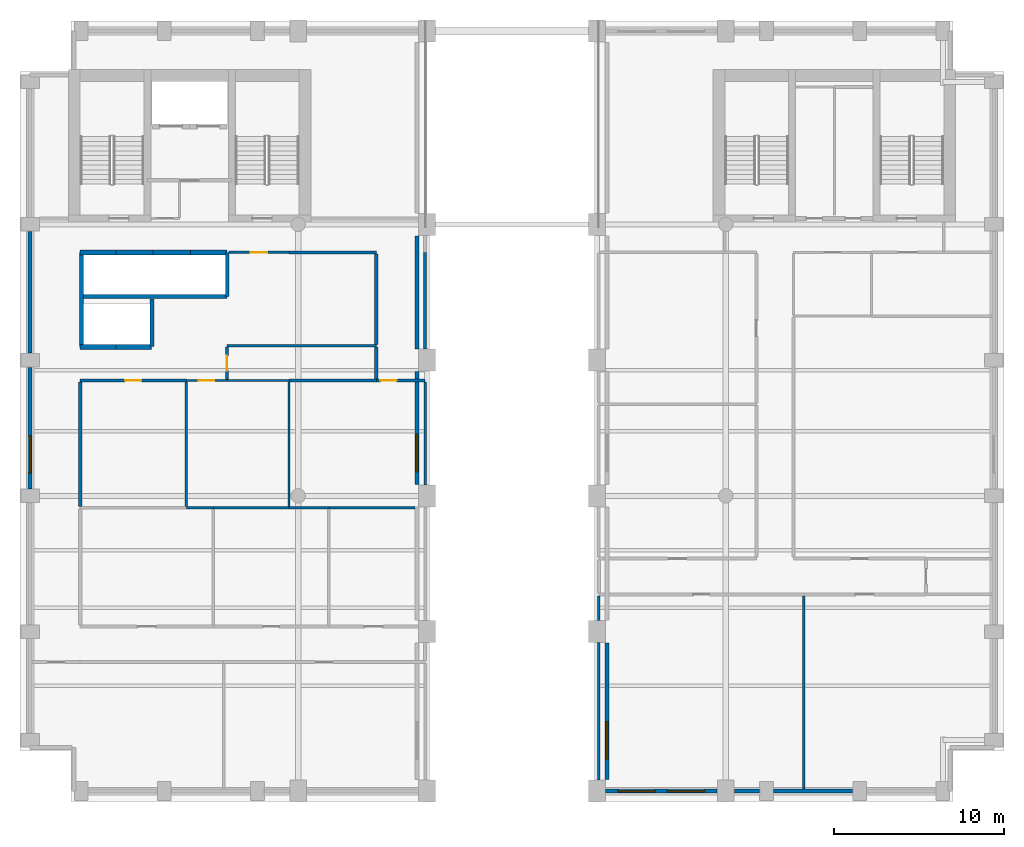
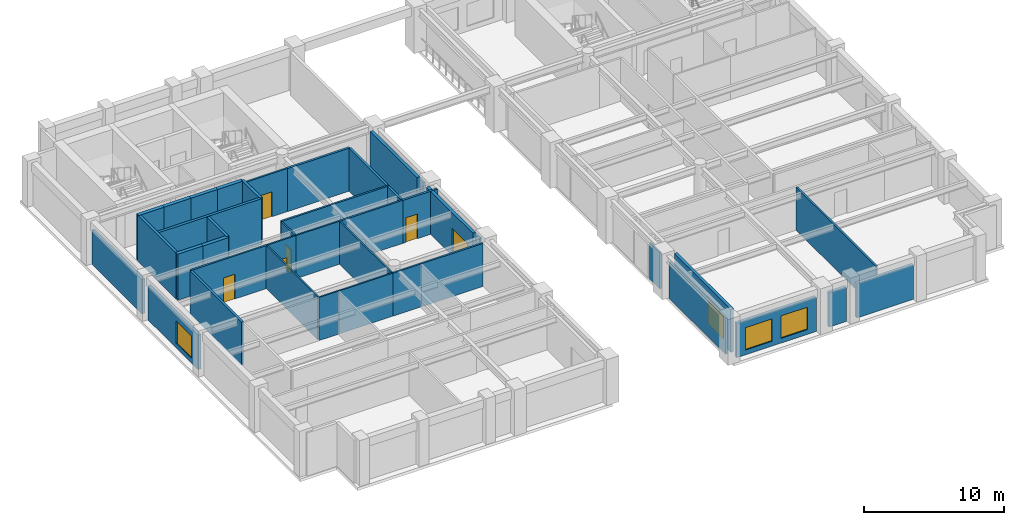
# One storey, part 3 of 8: 41 walls, 5 doors, 5 windows, 10 openings.
"""IFC4 building model written with IfcOpenShell, lengths in metres."""

from ifc_helpers import new_model, si_unit, direction, frame, frame_2d, origin, place, context, subcontext, project, spatial, rectangle, extrude, material, layer, layer_set, type_object, element, fill, save


model = new_model("IFC4")

# Units and contexts
model_context = context("Model", 3, precision=1e-05, world=origin(), true_north=direction((0.0, 1.0)))
body_context = subcontext(model_context, "Body", "Model", "MODEL_VIEW")
ifc_project = project(units=[si_unit("LENGTHUNIT", "METRE"), si_unit("AREAUNIT", "SQUARE_METRE"), si_unit("VOLUMEUNIT", "CUBIC_METRE"), si_unit("PLANEANGLEUNIT", "RADIAN"), si_unit("MASSUNIT", "GRAM", prefix="KILO")], contexts=[model_context])

# Site, building, storey
site_placement = place(None, origin())
site = spatial("IfcSite", under=ifc_project, at=site_placement, CompositionType="ELEMENT")
building_placement = place(site_placement, origin())
building = spatial("IfcBuilding", under=site, at=building_placement, Name="Sulina Concourse Tower", CompositionType="ELEMENT")
storey_placement = place(building_placement, frame((0.0, 0.0, 194.60009765625)))
storey = spatial("IfcBuildingStorey", under=building, at=storey_placement, Name="L47", CompositionType="ELEMENT", Elevation=194.60009765625)

# Walls
ifc_material_1 = material(Name="Concrete C50/60", Category="concrete")
ifc_layer_1 = layer(ifc_material_1, 0.219970703125)
ifc_layer_set_1 = layer_set([ifc_layer_1], Name="Concrete C50/60")
wall_type_1 = type_object("IfcWallType", Name="Core Lift Hoistway Divider Wall 220mm", PredefinedType="SOLIDWALL", material=ifc_layer_set_1)
wall_1_placement = place(storey_placement, frame((3.550048828125, 29.75, 0.0), z_axis=(0.0, 0.0, 1.0), x_axis=(1.0, 0.0, 0.0)))
element("IfcWall", 1, at=wall_1_placement, inside=storey, type_object=wall_type_1, Name="L47 shaft divider wall HW-LP3-S", PredefinedType="SOLIDWALL", context=body_context, shape_type="SweptSolid", body=[
    extrude(rectangle(XDim=8.64990234375, YDim=0.219970703125, at=frame_2d((4.324951171875, 0.0))), origin(), (0.0, 0.0, 1.0), 4.0),
])
wall_2_placement = place(storey_placement, frame((3.6298828125, 26.800048828125, 0.0), z_axis=(0.0, 0.0, 1.0), x_axis=(0.0, 1.0, 0.0)))
element("IfcWall", 2, at=wall_2_placement, inside=storey, type_object=wall_type_1, Name="L47 shaft divider wall HW-LP3-W", PredefinedType="SOLIDWALL", context=body_context, shape_type="SweptSolid", body=[
    extrude(rectangle(XDim=5.550048828125, YDim=0.219970703125, at=frame_2d((2.77490234375, 0.0))), origin(), (0.0, 0.0, 1.0), 4.0),
])
wall_3_placement = place(storey_placement, frame((7.780029296875, 26.800048828125, 0.0), z_axis=(0.0, 0.0, 1.0), x_axis=(0.0, 1.0, 0.0)))
element("IfcWall", 3, at=wall_3_placement, inside=storey, type_object=wall_type_1, Name="L47 shaft divider wall HW-EXP-E", PredefinedType="SOLIDWALL", context=body_context, shape_type="SweptSolid", body=[
    extrude(rectangle(XDim=2.800048828125, YDim=0.219970703125, at=frame_2d((1.39990234375, 0.0))), origin(), (0.0, 0.0, 1.0), 4.0),
])
wall_4_placement = place(storey_placement, frame((12.219970703125, 29.75, 0.0), z_axis=(0.0, 0.0, 1.0), x_axis=(0.0, 1.0, 0.0)))
element("IfcWall", 4, at=wall_4_placement, inside=storey, type_object=wall_type_1, Name="L47 shaft divider wall HW-LP3-E", PredefinedType="SOLIDWALL", context=body_context, shape_type="SweptSolid", body=[
    extrude(rectangle(XDim=2.60009765625, YDim=0.219970703125, at=frame_2d((1.300048828125, 0.0))), origin(), (0.0, 0.0, 1.0), 4.0),
])
ifc_material_2 = material(Name="Concrete C50/60", Category="concrete")
ifc_layer_2 = layer(ifc_material_2, 0.300048828125)
ifc_layer_set_2 = layer_set([ifc_layer_2], Name="Concrete C50/60")
wall_type_2 = type_object("IfcWallType", Name="Core Lift Hoistway Wall 300mm", PredefinedType="SOLIDWALL", material=ifc_layer_set_2)
wall_5_placement = place(storey_placement, frame((3.550048828125, 32.35009765625, 0.0), z_axis=(0.0, 0.0, 1.0), x_axis=(1.0, 0.0, 0.0)))
element("IfcWall", 5, at=wall_5_placement, inside=storey, type_object=wall_type_2, Name="L47 hoistway enclosure wall LP-09", PredefinedType="SOLIDWALL", context=body_context, shape_type="SweptSolid", body=[
    extrude(rectangle(XDim=2.099853515625, YDim=0.300048828125, at=frame_2d((1.0498046875, 0.0))), origin(), (0.0, 0.0, 1.0), 4.0),
])
wall_6_placement = place(storey_placement, frame((5.64990234375, 32.35009765625, 0.0), z_axis=(0.0, 0.0, 1.0), x_axis=(1.0, 0.0, 0.0)))
element("IfcWall", 6, at=wall_6_placement, inside=storey, type_object=wall_type_2, Name="L47 hoistway enclosure wall LP-10", PredefinedType="SOLIDWALL", context=body_context, shape_type="SweptSolid", body=[
    extrude(rectangle(XDim=2.2001953125, YDim=0.300048828125, at=frame_2d((1.10009765625, 0.0))), origin(), (0.0, 0.0, 1.0), 4.0),
])
wall_7_placement = place(storey_placement, frame((7.85009765625, 32.35009765625, 0.0), z_axis=(0.0, 0.0, 1.0), x_axis=(1.0, 0.0, 0.0)))
element("IfcWall", 7, at=wall_7_placement, inside=storey, type_object=wall_type_2, Name="L47 hoistway enclosure wall LP-11", PredefinedType="SOLIDWALL", context=body_context, shape_type="SweptSolid", body=[
    extrude(rectangle(XDim=2.199951171875, YDim=0.300048828125, at=frame_2d((1.10009765625, 0.0))), origin(), (0.0, 0.0, 1.0), 4.0),
])
wall_8_placement = place(storey_placement, frame((10.050048828125, 32.35009765625, 0.0), z_axis=(0.0, 0.0, 1.0), x_axis=(1.0, 0.0, 0.0)))
element("IfcWall", 8, at=wall_8_placement, inside=storey, type_object=wall_type_2, Name="L47 hoistway enclosure wall LP-12", PredefinedType="SOLIDWALL", context=body_context, shape_type="SweptSolid", body=[
    extrude(rectangle(XDim=2.14990234375, YDim=0.300048828125, at=frame_2d((1.074951171875, 0.0))), origin(), (0.0, 0.0, 1.0), 4.0),
])
wall_9_placement = place(storey_placement, frame((5.64990234375, 26.780029296875, 0.0), z_axis=(0.0, 0.0, 1.0), x_axis=(-1.0, 0.0, 0.0)))
element("IfcWall", 9, at=wall_9_placement, inside=storey, type_object=wall_type_2, Name="L47 hoistway enclosure wall EXP-1", PredefinedType="SOLIDWALL", context=body_context, shape_type="SweptSolid", body=[
    extrude(rectangle(XDim=2.099853515625, YDim=0.300048828125, at=frame_2d((1.0498046875, 0.0))), origin(), (0.0, 0.0, 1.0), 4.0),
])
wall_10_placement = place(storey_placement, frame((7.75, 26.780029296875, 0.0), z_axis=(0.0, 0.0, 1.0), x_axis=(-1.0, 0.0, 0.0)))
element("IfcWall", 10, at=wall_10_placement, inside=storey, type_object=wall_type_2, Name="L47 hoistway enclosure wall EXP-2", PredefinedType="SOLIDWALL", context=body_context, shape_type="SweptSolid", body=[
    extrude(rectangle(XDim=2.10009765625, YDim=0.300048828125, at=frame_2d((1.050048828125, 0.0))), origin(), (0.0, 0.0, 1.0), 4.0),
])

# Wall, openings, windows
ifc_material_3 = material(Name="Precast concrete C50/60", Category="concrete")
ifc_layer_3 = layer(ifc_material_3, 0.239990234375)
ifc_layer_set_3 = layer_set([ifc_layer_3], Name="Precast concrete C50/60")
wall_type_3 = type_object("IfcWallType", Name="Crown Precast Masonry-Frame Facade Wall 240mm", PredefinedType="SOLIDWALL", material=ifc_layer_set_3)
wall_11_placement = place(storey_placement, frame((41.080078125, 0.60009765625, 0.0), z_axis=(0.0, 0.0, 1.0), x_axis=(-1.0, 0.0, 0.0)))
wall_11 = element("IfcWall", 11, at=wall_11_placement, inside=storey, type_object=wall_type_3, Name="L47 exterior precast wall S6", PredefinedType="SOLIDWALL", context=body_context, shape_type="SweptSolid", body=[
    extrude(rectangle(XDim=6.56005859375, YDim=0.239990234375, at=frame_2d((3.280029296875, 0.0))), origin(), (0.0, 0.0, 1.0), 3.0),
])
opening_1_placement = place(wall_11_placement, frame((0.719970703125, 0.0, 0.419921875)))
opening_1 = element("IfcOpeningElement", 12, at=opening_1_placement, cuts=wall_11, Name="Opening WN-76", PredefinedType="OPENING", context=body_context, shape_type="SweptSolid", body=[
    extrude(rectangle(XDim=2.199951171875, YDim=1.949951171875, at=frame_2d((1.10009765625, 0.97509765625))), frame((0.0, 0.1298828125, 0.0), z_axis=(0.0, -1.0, 0.0), x_axis=(1.0, 0.0, 0.0)), (0.0, 0.0, 1.0), 0.260009765625),
])
opening_2_placement = place(wall_11_placement, frame((3.639892578125, 0.0, 0.419921875)))
opening_2 = element("IfcOpeningElement", 13, at=opening_2_placement, cuts=wall_11, Name="Opening WN-76", PredefinedType="OPENING", context=body_context, shape_type="SweptSolid", body=[
    extrude(rectangle(XDim=2.199951171875, YDim=1.949951171875, at=frame_2d((1.10009765625, 0.97509765625))), frame((0.0, 0.1298828125, 0.0), z_axis=(0.0, -1.0, 0.0), x_axis=(1.0, 0.0, 0.0)), (0.0, 0.0, 1.0), 0.260009765625),
])
ifc_material_4 = material(Name="Low-E solar double glazing in bronze aluminium", Category="aluminium")
window_type = type_object("IfcWindowType", Name="Recessed Spandrel Window 2200x1950", PartitioningType="DOUBLE_PANEL_VERTICAL", PredefinedType="WINDOW", material=ifc_material_4)
window_1_placement = place(opening_1_placement, origin())
window_1 = element("IfcWindow", 14, at=window_1_placement, inside=storey, type_object=window_type, Name="L47 punched window S6-1", OverallHeight=1.949951171875, OverallWidth=2.199951171875, PartitioningType="SINGLE_PANEL", PredefinedType="WINDOW", context=body_context, shape_type="SweptSolid", body=[
    extrude(rectangle(XDim=2.199951171875, YDim=1.949951171875, at=frame_2d((1.10009765625, 0.97509765625))), frame((0.0, 0.030029296875, 0.0), z_axis=(0.0, -1.0, 0.0), x_axis=(1.0, 0.0, 0.0)), (0.0, 0.0, 1.0), 0.06005859375),
])
fill(opening_1, window_1)
window_2_placement = place(opening_2_placement, origin())
window_2 = element("IfcWindow", 15, at=window_2_placement, inside=storey, type_object=window_type, Name="L47 punched window S6-2", OverallHeight=1.949951171875, OverallWidth=2.199951171875, PartitioningType="SINGLE_PANEL", PredefinedType="WINDOW", context=body_context, shape_type="SweptSolid", body=[
    extrude(rectangle(XDim=2.199951171875, YDim=1.949951171875, at=frame_2d((1.10009765625, 0.97509765625))), frame((0.0, 0.030029296875, 0.0), z_axis=(0.0, -1.0, 0.0), x_axis=(1.0, 0.0, 0.0)), (0.0, 0.0, 1.0), 0.06005859375),
])
fill(opening_2, window_2)

# Walls
wall_12_placement = place(storey_placement, frame((43.580078125, 0.60009765625, 0.0), z_axis=(0.0, 0.0, 1.0), x_axis=(-1.0, 0.0, 0.0)))
element("IfcWall", 16, at=wall_12_placement, inside=storey, type_object=wall_type_3, Name="L47 exterior precast wall S7", PredefinedType="SOLIDWALL", context=body_context, shape_type="SweptSolid", body=[
    extrude(rectangle(XDim=1.4599609375, YDim=0.239990234375, at=frame_2d((0.72998046875, 0.0))), origin(), (0.0, 0.0, 1.0), 3.0),
])
wall_13_placement = place(storey_placement, frame((49.080078125, 0.60009765625, 0.0), z_axis=(0.0, 0.0, 1.0), x_axis=(-1.0, 0.0, 0.0)))
element("IfcWall", 17, at=wall_13_placement, inside=storey, type_object=wall_type_3, Name="L47 exterior precast wall S8", PredefinedType="SOLIDWALL", context=body_context, shape_type="SweptSolid", body=[
    extrude(rectangle(XDim=4.66015625, YDim=0.239990234375, at=frame_2d((2.330078125, 0.0))), origin(), (0.0, 0.0, 1.0), 3.0),
])

# Wall, opening, window
wall_14_placement = place(storey_placement, frame((0.60009765625, 18.419921875, 0.0), z_axis=(0.0, 0.0, 1.0), x_axis=(0.0, 1.0, 0.0)))
wall_14 = element("IfcWall", 18, at=wall_14_placement, inside=storey, type_object=wall_type_3, Name="L47 exterior precast wall W3", PredefinedType="SOLIDWALL", context=body_context, shape_type="SweptSolid", body=[
    extrude(rectangle(XDim=7.16015625, YDim=0.239990234375, at=frame_2d((3.580078125, 0.0))), origin(), (0.0, 0.0, 1.0), 3.0),
])
opening_3_placement = place(wall_14_placement, frame((0.919921875, 0.0, 0.419921875)))
opening_3 = element("IfcOpeningElement", 19, at=opening_3_placement, cuts=wall_14, Name="Opening WN-76", PredefinedType="OPENING", context=body_context, shape_type="SweptSolid", body=[
    extrude(rectangle(XDim=2.199951171875, YDim=1.949951171875, at=frame_2d((1.10009765625, 0.97509765625))), frame((0.0, 0.1298828125, 0.0), z_axis=(0.0, -1.0, 0.0), x_axis=(1.0, 0.0, 0.0)), (0.0, 0.0, 1.0), 0.260009765625),
])
window_3_placement = place(opening_3_placement, origin())
window_3 = element("IfcWindow", 20, at=window_3_placement, inside=storey, type_object=window_type, Name="L47 punched window W3-1", OverallHeight=1.949951171875, OverallWidth=2.199951171875, PartitioningType="SINGLE_PANEL", PredefinedType="WINDOW", context=body_context, shape_type="SweptSolid", body=[
    extrude(rectangle(XDim=2.199951171875, YDim=1.949951171875, at=frame_2d((1.10009765625, 0.97509765625))), frame((0.0, 0.030029296875, 0.0), z_axis=(0.0, -1.0, 0.0), x_axis=(1.0, 0.0, 0.0)), (0.0, 0.0, 1.0), 0.06005859375),
])
fill(opening_3, window_3)

# Wall
wall_15_placement = place(storey_placement, frame((0.60009765625, 26.419921875, 0.0), z_axis=(0.0, 0.0, 1.0), x_axis=(0.0, 1.0, 0.0)))
element("IfcWall", 21, at=wall_15_placement, inside=storey, type_object=wall_type_3, Name="L47 exterior precast wall W4", PredefinedType="SOLIDWALL", context=body_context, shape_type="SweptSolid", body=[
    extrude(rectangle(XDim=7.16015625, YDim=0.239990234375, at=frame_2d((3.580078125, 0.0))), origin(), (0.0, 0.0, 1.0), 3.0),
])

# Wall, opening, window
wall_16_placement = place(storey_placement, frame((34.60009765625, 1.27001953125, 0.0), z_axis=(0.0, 0.0, 1.0), x_axis=(0.0, 1.0, 0.0)))
wall_16 = element("IfcWall", 22, at=wall_16_placement, inside=storey, type_object=wall_type_3, Name="L47 exterior precast wall PE1", PredefinedType="SOLIDWALL", context=body_context, shape_type="SweptSolid", body=[
    extrude(rectangle(XDim=8.06005859375, YDim=0.239990234375, at=frame_2d((4.030029296875, 0.0))), origin(), (0.0, 0.0, 1.0), 3.75),
])
opening_4_placement = place(wall_16_placement, frame((1.219970703125, 0.0, 0.419921875)))
opening_4 = element("IfcOpeningElement", 23, at=opening_4_placement, cuts=wall_16, Name="Opening WN-76", PredefinedType="OPENING", context=body_context, shape_type="SweptSolid", body=[
    extrude(rectangle(XDim=2.199951171875, YDim=1.949951171875, at=frame_2d((1.10009765625, 0.97509765625))), frame((0.0, 0.1298828125, 0.0), z_axis=(0.0, -1.0, 0.0), x_axis=(1.0, 0.0, 0.0)), (0.0, 0.0, 1.0), 0.260009765625),
])
window_4_placement = place(opening_4_placement, origin())
window_4 = element("IfcWindow", 24, at=window_4_placement, inside=storey, type_object=window_type, Name="L47 punched window PE1-1", OverallHeight=1.949951171875, OverallWidth=2.199951171875, PartitioningType="SINGLE_PANEL", PredefinedType="WINDOW", context=body_context, shape_type="SweptSolid", body=[
    extrude(rectangle(XDim=2.199951171875, YDim=1.949951171875, at=frame_2d((1.10009765625, 0.97509765625))), frame((0.0, 0.030029296875, 0.0), z_axis=(0.0, -1.0, 0.0), x_axis=(1.0, 0.0, 0.0)), (0.0, 0.0, 1.0), 0.06005859375),
])
fill(opening_4, window_4)

wall_17_placement = place(storey_placement, frame((23.39990234375, 25.330078125, 0.0), z_axis=(0.0, 0.0, 1.0), x_axis=(0.0, -1.0, 0.0)))
wall_17 = element("IfcWall", 25, at=wall_17_placement, inside=storey, type_object=wall_type_3, Name="L47 exterior precast wall PW3", PredefinedType="SOLIDWALL", context=body_context, shape_type="SweptSolid", body=[
    extrude(rectangle(XDim=6.66015625, YDim=0.239990234375, at=frame_2d((3.330078125, 0.0))), origin(), (0.0, 0.0, 1.0), 3.75),
])
opening_5_placement = place(wall_17_placement, frame((3.706787109375, 0.0, 0.419921875)))
opening_5 = element("IfcOpeningElement", 26, at=opening_5_placement, cuts=wall_17, Name="Opening WN-76", PredefinedType="OPENING", context=body_context, shape_type="SweptSolid", body=[
    extrude(rectangle(XDim=2.199951171875, YDim=1.949951171875, at=frame_2d((1.10009765625, 0.97509765625))), frame((0.0, 0.1298828125, 0.0), z_axis=(0.0, -1.0, 0.0), x_axis=(1.0, 0.0, 0.0)), (0.0, 0.0, 1.0), 0.260009765625),
])
window_5_placement = place(opening_5_placement, origin())
window_5 = element("IfcWindow", 27, at=window_5_placement, inside=storey, type_object=window_type, Name="L47 punched window PW3-1", OverallHeight=1.949951171875, OverallWidth=2.199951171875, PartitioningType="SINGLE_PANEL", PredefinedType="WINDOW", context=body_context, shape_type="SweptSolid", body=[
    extrude(rectangle(XDim=2.199951171875, YDim=1.949951171875, at=frame_2d((1.10009765625, 0.97509765625))), frame((0.0, 0.030029296875, 0.0), z_axis=(0.0, -1.0, 0.0), x_axis=(1.0, 0.0, 0.0)), (0.0, 0.0, 1.0), 0.06005859375),
])
fill(opening_5, window_5)

# Walls
wall_18_placement = place(storey_placement, frame((23.39990234375, 33.330078125, 0.0), z_axis=(0.0, 0.0, 1.0), x_axis=(0.0, -1.0, 0.0)))
element("IfcWall", 28, at=wall_18_placement, inside=storey, type_object=wall_type_3, Name="L47 exterior precast wall PW4", PredefinedType="SOLIDWALL", context=body_context, shape_type="SweptSolid", body=[
    extrude(rectangle(XDim=6.66015625, YDim=0.239990234375, at=frame_2d((3.330078125, 0.0))), origin(), (0.0, 0.0, 1.0), 3.75),
])
ifc_material_5 = material(Name="Gypsum board on steel stud", Category="steel")
ifc_layer_4 = layer(ifc_material_5, 0.14990234375)
ifc_layer_set_4 = layer_set([ifc_layer_4], Name="Gypsum board on steel stud")
wall_type_4 = type_object("IfcWallType", Name="Inter-Tenancy Acoustic Partition 150mm", PredefinedType="PARTITIONING", material=ifc_layer_set_4)
wall_19_placement = place(storey_placement, frame((15.85009765625, 17.300048828125, 0.0), z_axis=(0.0, 0.0, 1.0), x_axis=(1.0, 0.0, 0.0)))
element("IfcWall", 29, at=wall_19_placement, inside=storey, type_object=wall_type_4, Name="L47 interior partition 016", PredefinedType="PARTITIONING", context=body_context, shape_type="SweptSolid", body=[
    extrude(rectangle(XDim=2.349853515625, YDim=0.14990234375, at=frame_2d((1.1748046875, 0.0))), origin(), (0.0, 0.0, 1.0), 3.75),
])
wall_20_placement = place(storey_placement, frame((18.199951171875, 17.300048828125, 0.0), z_axis=(0.0, 0.0, 1.0), x_axis=(1.0, 0.0, 0.0)))
element("IfcWall", 30, at=wall_20_placement, inside=storey, type_object=wall_type_4, Name="L47 interior partition 017", PredefinedType="PARTITIONING", context=body_context, shape_type="SweptSolid", body=[
    extrude(rectangle(XDim=5.080078125, YDim=0.14990234375, at=frame_2d((2.5400390625, 0.0))), origin(), (0.0, 0.0, 1.0), 3.75),
])

# Wall, opening, door
wall_21_placement = place(storey_placement, frame((3.550048828125, 24.800048828125, 0.0), z_axis=(0.0, 0.0, 1.0), x_axis=(1.0, 0.0, 0.0)))
wall_21 = element("IfcWall", 31, at=wall_21_placement, inside=storey, type_object=wall_type_4, Name="L47 interior partition 019", PredefinedType="PARTITIONING", context=body_context, shape_type="SweptSolid", body=[
    extrude(rectangle(XDim=6.25, YDim=0.14990234375, at=frame_2d((3.125, 0.0))), origin(), (0.0, 0.0, 1.0), 3.75),
])
opening_6_placement = place(wall_21_placement, frame((2.64990234375, 0.0, 0.0)))
opening_6 = element("IfcOpeningElement", 32, at=opening_6_placement, cuts=wall_21, Name="Opening DR-19", PredefinedType="OPENING", context=body_context, shape_type="SweptSolid", body=[
    extrude(rectangle(XDim=0.949951171875, YDim=2.14990234375, at=frame_2d((0.47509765625, 1.074951171875))), frame((0.0, 0.0849609375, 0.0), z_axis=(0.0, -1.0, 0.0), x_axis=(1.0, 0.0, 0.0)), (0.0, 0.0, 1.0), 0.169921875),
])
ifc_material_6 = material(Name="Oak-veneered acoustic timber leaf", Category="wood")
ifc_layer_5 = layer(ifc_material_6, 0.050048828125)
ifc_layer_set_5 = layer_set([ifc_layer_5], Name="Oak-veneered acoustic timber leaf")
door_type_1 = type_object("IfcDoorType", Name="Cellular Office & Meeting Door 950x2150", OperationType="NOTDEFINED", PredefinedType="DOOR", material=ifc_layer_set_5)
door_1_placement = place(opening_6_placement, origin())
door_1 = element("IfcDoor", 33, at=door_1_placement, inside=storey, type_object=door_type_1, Name="L47 interior door L47-LR-MRG1", OperationType="SINGLE_SWING_RIGHT", OverallHeight=2.14990234375, OverallWidth=0.949951171875, PredefinedType="DOOR", context=body_context, shape_type="SweptSolid", body=[
    extrude(rectangle(XDim=0.949951171875, YDim=2.14990234375, at=frame_2d((0.47509765625, 1.074951171875))), frame((0.0, 0.02490234375, 0.0), z_axis=(0.0, -1.0, 0.0), x_axis=(1.0, 0.0, 0.0)), (0.0, 0.0, 1.0), 0.050048828125),
])
fill(opening_6, door_1)

# Walls
wall_22_placement = place(storey_placement, frame((15.85009765625, 24.800048828125, 0.0), z_axis=(0.0, 0.0, 1.0), x_axis=(1.0, 0.0, 0.0)))
element("IfcWall", 34, at=wall_22_placement, inside=storey, type_object=wall_type_4, Name="L47 interior partition 022", PredefinedType="PARTITIONING", context=body_context, shape_type="SweptSolid", body=[
    extrude(rectangle(XDim=5.14990234375, YDim=0.14990234375, at=frame_2d((2.574951171875, 0.0))), origin(), (0.0, 0.0, 1.0), 3.75),
])
wall_23_placement = place(storey_placement, frame((12.199951171875, 26.85009765625, 0.0), z_axis=(0.0, 0.0, 1.0), x_axis=(1.0, 0.0, 0.0)))
element("IfcWall", 35, at=wall_23_placement, inside=storey, type_object=wall_type_4, Name="L47 interior partition 024", PredefinedType="PARTITIONING", context=body_context, shape_type="SweptSolid", body=[
    extrude(rectangle(XDim=8.800048828125, YDim=0.14990234375, at=frame_2d((4.39990234375, 0.0))), origin(), (0.0, 0.0, 1.0), 3.75),
])

# Wall, opening, door
wall_24_placement = place(storey_placement, frame((12.330078125, 32.35009765625, 0.0), z_axis=(0.0, 0.0, 1.0), x_axis=(1.0, 0.0, 0.0)))
wall_24 = element("IfcWall", 36, at=wall_24_placement, inside=storey, type_object=wall_type_4, Name="L47 interior partition 027", PredefinedType="PARTITIONING", context=body_context, shape_type="SweptSolid", body=[
    extrude(rectangle(XDim=3.52001953125, YDim=0.14990234375, at=frame_2d((1.760009765625, 0.0))), origin(), (0.0, 0.0, 1.0), 3.75),
])
opening_7_placement = place(wall_24_placement, frame((1.284912109375, 0.0, 0.0)))
opening_7 = element("IfcOpeningElement", 37, at=opening_7_placement, cuts=wall_24, Name="Opening DR-19", PredefinedType="OPENING", context=body_context, shape_type="SweptSolid", body=[
    extrude(rectangle(XDim=0.949951171875, YDim=2.14990234375, at=frame_2d((0.47509765625, 1.074951171875))), frame((0.0, 0.0849609375, 0.0), z_axis=(0.0, -1.0, 0.0), x_axis=(1.0, 0.0, 0.0)), (0.0, 0.0, 1.0), 0.169921875),
])
door_2_placement = place(opening_7_placement, origin())
door_2 = element("IfcDoor", 38, at=door_2_placement, inside=storey, type_object=door_type_1, Name="L47 interior door L47-MR-MRG2", OperationType="SINGLE_SWING_LEFT", OverallHeight=2.14990234375, OverallWidth=0.949951171875, PredefinedType="DOOR", context=body_context, shape_type="SweptSolid", body=[
    extrude(rectangle(XDim=0.949951171875, YDim=2.14990234375, at=frame_2d((0.47509765625, 1.074951171875))), frame((0.0, 0.02490234375, 0.0), z_axis=(0.0, -1.0, 0.0), x_axis=(1.0, 0.0, 0.0)), (0.0, 0.0, 1.0), 0.050048828125),
])
fill(opening_7, door_2)

wall_25_placement = place(storey_placement, frame((12.199951171875, 24.862548828125, 0.0), z_axis=(0.0, 0.0, 1.0), x_axis=(0.0, 1.0, 0.0)))
wall_25 = element("IfcWall", 39, at=wall_25_placement, inside=storey, type_object=wall_type_4, Name="L47 interior partition 045", PredefinedType="PARTITIONING", context=body_context, shape_type="SweptSolid", body=[
    extrude(rectangle(XDim=1.912353515625, YDim=0.14990234375, at=frame_2d((0.9560546875, 0.0))), origin(), (0.0, 0.0, 1.0), 3.75),
])
opening_8_placement = place(wall_25_placement, frame((0.51611328125, 0.0, 0.0)))
opening_8 = element("IfcOpeningElement", 40, at=opening_8_placement, cuts=wall_25, Name="Opening DR-38", PredefinedType="OPENING", context=body_context, shape_type="SweptSolid", body=[
    extrude(rectangle(XDim=0.8798828125, YDim=2.10009765625, at=frame_2d((0.43994140625, 1.050048828125))), frame((0.0, 0.0849609375, 0.0), z_axis=(0.0, -1.0, 0.0), x_axis=(1.0, 0.0, 0.0)), (0.0, 0.0, 1.0), 0.169921875),
])
ifc_material_7 = material(Name="Galvanised steel acoustic fire leaf", Category="steel")
ifc_layer_6 = layer(ifc_material_7, 0.050048828125)
ifc_layer_set_6 = layer_set([ifc_layer_6], Name="Galvanised steel acoustic fire leaf")
door_type_2 = type_object("IfcDoorType", Name="Service Riser Fire Door 880x2100", OperationType="NOTDEFINED", PredefinedType="DOOR", material=ifc_layer_set_6)
door_3_placement = place(opening_8_placement, origin())
door_3 = element("IfcDoor", 41, at=door_3_placement, inside=storey, type_object=door_type_2, Name="L47 interior door L47-MR-MRG1", OperationType="SINGLE_SWING_LEFT", OverallHeight=2.10009765625, OverallWidth=0.8798828125, PredefinedType="DOOR", context=body_context, shape_type="SweptSolid", body=[
    extrude(rectangle(XDim=0.8798828125, YDim=2.10009765625, at=frame_2d((0.43994140625, 1.050048828125))), frame((0.0, 0.02490234375, 0.0), z_axis=(0.0, -1.0, 0.0), x_axis=(1.0, 0.0, 0.0)), (0.0, 0.0, 1.0), 0.050048828125),
])
fill(opening_8, door_3)

# Walls
wall_26_placement = place(storey_placement, frame((23.8798828125, 18.64990234375, 0.0), z_axis=(0.0, 0.0, 1.0), x_axis=(0.0, 1.0, 0.0)))
element("IfcWall", 42, at=wall_26_placement, inside=storey, type_object=wall_type_4, Name="L47 interior partition 053", PredefinedType="PARTITIONING", context=body_context, shape_type="SweptSolid", body=[
    extrude(rectangle(XDim=6.06005859375, YDim=0.14990234375, at=frame_2d((3.030029296875, 0.0))), origin(), (0.0, 0.0, 1.0), 3.14501953125),
])
wall_27_placement = place(storey_placement, frame((34.1201171875, 1.25, 0.0), z_axis=(0.0, 0.0, 1.0), x_axis=(0.0, 1.0, 0.0)))
element("IfcWall", 43, at=wall_27_placement, inside=storey, type_object=wall_type_4, Name="L47 interior partition 056", PredefinedType="PARTITIONING", context=body_context, shape_type="SweptSolid", body=[
    extrude(rectangle(XDim=8.10009765625, YDim=0.14990234375, at=frame_2d((4.050048828125, 0.0))), origin(), (0.0, 0.0, 1.0), 3.14501953125),
])
wall_28_placement = place(storey_placement, frame((34.1201171875, 10.64990234375, 0.0), z_axis=(0.0, 0.0, 1.0), x_axis=(0.0, 1.0, 0.0)))
element("IfcWall", 44, at=wall_28_placement, inside=storey, type_object=wall_type_4, Name="L47 interior partition 057", PredefinedType="PARTITIONING", context=body_context, shape_type="SweptSolid", body=[
    extrude(rectangle(XDim=1.460205078125, YDim=0.14990234375, at=frame_2d((0.72998046875, 0.0))), origin(), (0.0, 0.0, 1.0), 3.14501953125),
])
wall_29_placement = place(storey_placement, frame((46.199951171875, 0.719970703125, 0.0), z_axis=(0.0, 0.0, 1.0), x_axis=(0.0, 1.0, 0.0)))
element("IfcWall", 45, at=wall_29_placement, inside=storey, type_object=wall_type_4, Name="L47 interior partition 068", PredefinedType="PARTITIONING", context=body_context, shape_type="SweptSolid", body=[
    extrude(rectangle(XDim=11.39013671875, YDim=0.14990234375, at=frame_2d((5.695068359375, 0.0))), origin(), (0.0, 0.0, 1.0), 3.75),
])

# Wall, opening, door
ifc_material_8 = material(Name="Gypsum board on steel stud", Category="steel")
ifc_layer_7 = layer(ifc_material_8, 0.179931640625)
ifc_layer_set_7 = layer_set([ifc_layer_7], Name="Gypsum board on steel stud")
wall_type_5 = type_object("IfcWallType", Name="Protected Corridor & Riser Partition 180mm", PredefinedType="PARTITIONING", material=ifc_layer_set_7)
wall_30_placement = place(storey_placement, frame((21.0, 24.800048828125, 0.0), z_axis=(0.0, 0.0, 1.0), x_axis=(1.0, 0.0, 0.0)))
wall_30 = element("IfcWall", 46, at=wall_30_placement, inside=storey, type_object=wall_type_5, Name="L47 interior partition 023", PredefinedType="PARTITIONING", context=body_context, shape_type="SweptSolid", body=[
    extrude(rectangle(XDim=2.8798828125, YDim=0.179931640625, at=frame_2d((1.43994140625, 0.0))), origin(), (0.0, 0.0, 1.0), 3.75),
])
opening_9_placement = place(wall_30_placement, frame((0.2451171875, 0.0, 0.0)))
opening_9 = element("IfcOpeningElement", 47, at=opening_9_placement, cuts=wall_30, Name="Opening DR-19", PredefinedType="OPENING", context=body_context, shape_type="SweptSolid", body=[
    extrude(rectangle(XDim=0.949951171875, YDim=2.14990234375, at=frame_2d((0.47509765625, 1.074951171875))), frame((0.0, 0.099853515625, 0.0), z_axis=(0.0, -1.0, 0.0), x_axis=(1.0, 0.0, 0.0)), (0.0, 0.0, 1.0), 0.199951171875),
])
door_4_placement = place(opening_9_placement, origin())
door_4 = element("IfcDoor", 48, at=door_4_placement, inside=storey, type_object=door_type_1, Name="L47 interior door L47-STD-WU2", OperationType="SINGLE_SWING_RIGHT", OverallHeight=2.14990234375, OverallWidth=0.949951171875, PredefinedType="DOOR", context=body_context, shape_type="SweptSolid", body=[
    extrude(rectangle(XDim=0.949951171875, YDim=2.14990234375, at=frame_2d((0.47509765625, 1.074951171875))), frame((0.0, 0.02490234375, 0.0), z_axis=(0.0, -1.0, 0.0), x_axis=(1.0, 0.0, 0.0)), (0.0, 0.0, 1.0), 0.050048828125),
])
fill(opening_9, door_4)

# Walls
wall_31_placement = place(storey_placement, frame((15.85009765625, 32.35009765625, 0.0), z_axis=(0.0, 0.0, 1.0), x_axis=(1.0, 0.0, 0.0)))
element("IfcWall", 49, at=wall_31_placement, inside=storey, type_object=wall_type_5, Name="L47 interior partition 028", PredefinedType="PARTITIONING", context=body_context, shape_type="SweptSolid", body=[
    extrude(rectangle(XDim=5.14990234375, YDim=0.179931640625, at=frame_2d((2.574951171875, 0.0))), origin(), (0.0, 0.0, 1.0), 3.75),
])
wall_32_placement = place(storey_placement, frame((3.550048828125, 17.375, 0.0), z_axis=(0.0, 0.0, 1.0), x_axis=(0.0, 1.0, 0.0)))
element("IfcWall", 50, at=wall_32_placement, inside=storey, type_object=wall_type_5, Name="L47 interior partition 040", PredefinedType="PARTITIONING", context=body_context, shape_type="SweptSolid", body=[
    extrude(rectangle(XDim=7.35009765625, YDim=0.179931640625, at=frame_2d((3.675048828125, 0.0))), origin(), (0.0, 0.0, 1.0), 3.75),
])
wall_33_placement = place(storey_placement, frame((21.0, 24.889892578125, 0.0), z_axis=(0.0, 0.0, 1.0), x_axis=(0.0, 1.0, 0.0)))
element("IfcWall", 51, at=wall_33_placement, inside=storey, type_object=wall_type_5, Name="L47 interior partition 048", PredefinedType="PARTITIONING", context=body_context, shape_type="SweptSolid", body=[
    extrude(rectangle(XDim=1.885009765625, YDim=0.179931640625, at=frame_2d((0.9423828125, 0.0))), origin(), (0.0, 0.0, 1.0), 3.75),
])
wall_34_placement = place(storey_placement, frame((21.0, 26.925048828125, 0.0), z_axis=(0.0, 0.0, 1.0), x_axis=(0.0, 1.0, 0.0)))
element("IfcWall", 52, at=wall_34_placement, inside=storey, type_object=wall_type_5, Name="L47 interior partition 049", PredefinedType="PARTITIONING", context=body_context, shape_type="SweptSolid", body=[
    extrude(rectangle(XDim=5.3349609375, YDim=0.179931640625, at=frame_2d((2.66748046875, 0.0))), origin(), (0.0, 0.0, 1.0), 3.75),
])
wall_35_placement = place(storey_placement, frame((23.8798828125, 26.64990234375, 0.0), z_axis=(0.0, 0.0, 1.0), x_axis=(0.0, 1.0, 0.0)))
element("IfcWall", 53, at=wall_35_placement, inside=storey, type_object=wall_type_5, Name="L47 interior partition 054", PredefinedType="PARTITIONING", context=body_context, shape_type="SweptSolid", body=[
    extrude(rectangle(XDim=5.7001953125, YDim=0.179931640625, at=frame_2d((2.85009765625, 0.0))), origin(), (0.0, 0.0, 1.0), 3.14501953125),
])
ifc_material_9 = material(Name="Gypsum board on steel stud", Category="steel")
ifc_layer_8 = layer(ifc_material_9, 0.125)
ifc_layer_set_8 = layer_set([ifc_layer_8], Name="Gypsum board on steel stud")
wall_type_6 = type_object("IfcWallType", Name="Wet-Area Moisture-Resistant Partition 125mm", PredefinedType="PARTITIONING", material=ifc_layer_set_8)
wall_36_placement = place(storey_placement, frame((9.800048828125, 17.300048828125, 0.0), z_axis=(0.0, 0.0, 1.0), x_axis=(1.0, 0.0, 0.0)))
element("IfcWall", 54, at=wall_36_placement, inside=storey, type_object=wall_type_6, Name="L47 interior partition 014", PredefinedType="PARTITIONING", context=body_context, shape_type="SweptSolid", body=[
    extrude(rectangle(XDim=1.599853515625, YDim=0.125, at=frame_2d((0.7998046875, 0.0))), origin(), (0.0, 0.0, 1.0), 3.75),
])
wall_37_placement = place(storey_placement, frame((11.39990234375, 17.300048828125, 0.0), z_axis=(0.0, 0.0, 1.0), x_axis=(1.0, 0.0, 0.0)))
element("IfcWall", 55, at=wall_37_placement, inside=storey, type_object=wall_type_6, Name="L47 interior partition 015", PredefinedType="PARTITIONING", context=body_context, shape_type="SweptSolid", body=[
    extrude(rectangle(XDim=4.4501953125, YDim=0.125, at=frame_2d((2.22509765625, 0.0))), origin(), (0.0, 0.0, 1.0), 3.75),
])

# Wall, opening, door
wall_38_placement = place(storey_placement, frame((9.800048828125, 24.800048828125, 0.0), z_axis=(0.0, 0.0, 1.0), x_axis=(1.0, 0.0, 0.0)))
wall_38 = element("IfcWall", 56, at=wall_38_placement, inside=storey, type_object=wall_type_6, Name="L47 interior partition 020", PredefinedType="PARTITIONING", context=body_context, shape_type="SweptSolid", body=[
    extrude(rectangle(XDim=2.39990234375, YDim=0.125, at=frame_2d((1.199951171875, 0.0))), origin(), (0.0, 0.0, 1.0), 3.75),
])
opening_10_placement = place(wall_38_placement, frame((0.75, 0.0, 0.0)))
opening_10 = element("IfcOpeningElement", 57, at=opening_10_placement, cuts=wall_38, Name="Opening DR-21", PredefinedType="OPENING", context=body_context, shape_type="SweptSolid", body=[
    extrude(rectangle(XDim=0.89990234375, YDim=2.10009765625, at=frame_2d((0.449951171875, 1.050048828125))), frame((0.0, 0.072509765625, 0.0), z_axis=(0.0, -1.0, 0.0), x_axis=(1.0, 0.0, 0.0)), (0.0, 0.0, 1.0), 0.14501953125),
])
ifc_material_10 = material(Name="Oak-veneered fire door leaf")
ifc_layer_9 = layer(ifc_material_10, 0.050048828125)
ifc_layer_set_9 = layer_set([ifc_layer_9], Name="Oak-veneered fire door leaf")
door_type_3 = type_object("IfcDoorType", Name="Restroom & Service Door 900x2100", OperationType="NOTDEFINED", PredefinedType="DOOR", material=ifc_layer_set_9)
door_5_placement = place(opening_10_placement, origin())
door_5 = element("IfcDoor", 58, at=door_5_placement, inside=storey, type_object=door_type_3, Name="L47 interior door L47-LR-MRG2", OperationType="SINGLE_SWING_LEFT", OverallHeight=2.10009765625, OverallWidth=0.89990234375, PredefinedType="DOOR", context=body_context, shape_type="SweptSolid", body=[
    extrude(rectangle(XDim=0.89990234375, YDim=2.10009765625, at=frame_2d((0.449951171875, 1.050048828125))), frame((0.0, 0.02490234375, 0.0), z_axis=(0.0, -1.0, 0.0), x_axis=(1.0, 0.0, 0.0)), (0.0, 0.0, 1.0), 0.050048828125),
])
fill(opening_10, door_5)

# Walls
wall_39_placement = place(storey_placement, frame((12.199951171875, 24.800048828125, 0.0), z_axis=(0.0, 0.0, 1.0), x_axis=(1.0, 0.0, 0.0)))
element("IfcWall", 59, at=wall_39_placement, inside=storey, type_object=wall_type_6, Name="L47 interior partition 021", PredefinedType="PARTITIONING", context=body_context, shape_type="SweptSolid", body=[
    extrude(rectangle(XDim=3.650146484375, YDim=0.125, at=frame_2d((1.8251953125, 0.0))), origin(), (0.0, 0.0, 1.0), 3.75),
])
for number, where, z_axis, x_axis, name in (
    (60, (9.800048828125, 17.375, 0.0), (0.0, 0.0, 1.0), (0.0, 1.0, 0.0), "L47 interior partition 042"),
    (61, (15.85009765625, 17.375, 0.0), (0.0, 0.0, 1.0), (0.0, 1.0, 0.0), "L47 interior partition 046"),
):
    element("IfcWall", number, at=place(storey_placement, frame(where, z_axis=z_axis, x_axis=x_axis)), inside=storey, type_object=wall_type_6, Name=name, PredefinedType="PARTITIONING", context=body_context, shape_type="SweptSolid", body=[
        extrude(rectangle(XDim=7.35009765625, YDim=0.125, at=frame_2d((3.675048828125, 0.0))), origin(), (0.0, 0.0, 1.0), 3.75),
    ])

save(model, "model.ifc")
